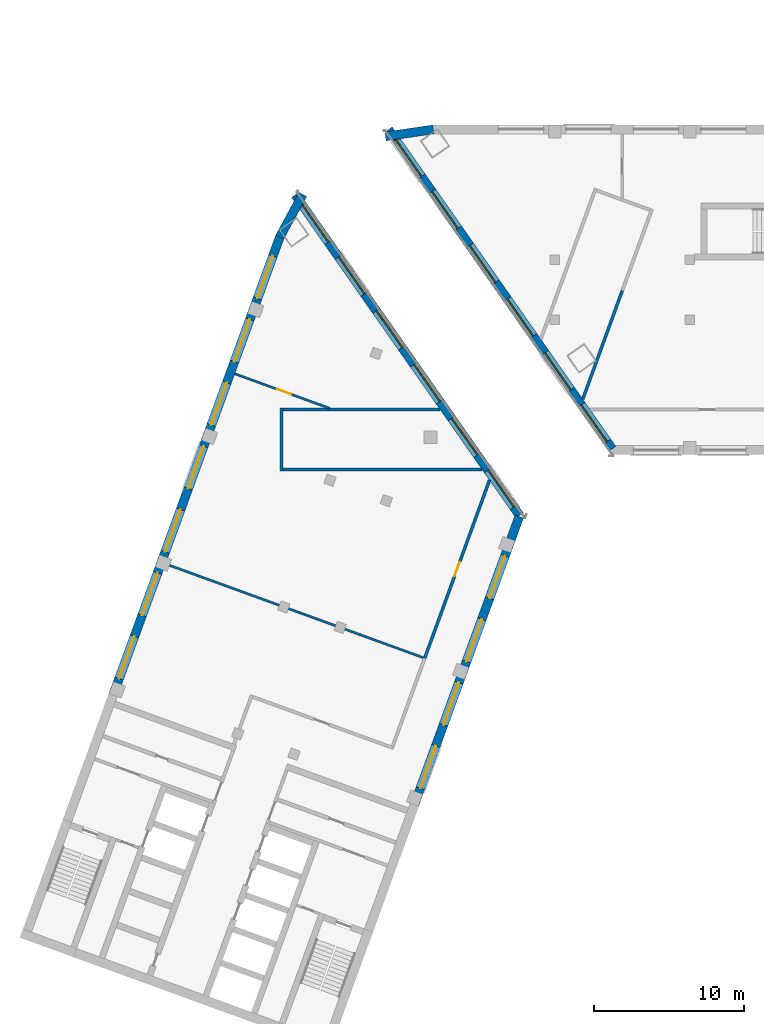
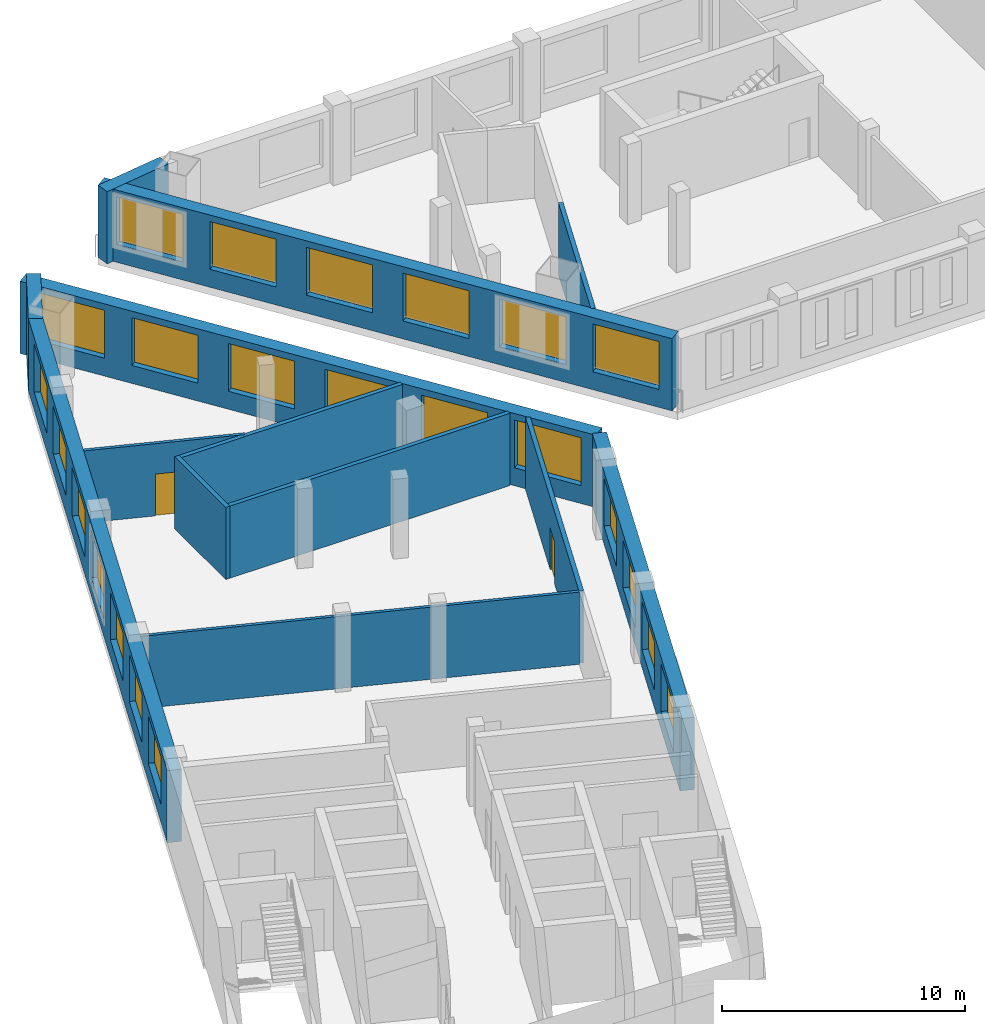
# One storey, part 5 of 11: 23 windows, 13 walls, 2 doors, 25 openings.
"""IFC4 building model written with IfcOpenShell, lengths in metres."""

from ifc_helpers import new_model, si_unit, direction, frame, frame_2d, origin, place, context, subcontext, project, spatial, rectangle, extrude, material, layer, layer_set, type_object, element, fill, save


model = new_model("IFC4")

# Units and contexts
model_context = context("Model", 3, precision=1e-05, world=origin(), true_north=direction((0.0, 1.0)))
body_context = subcontext(model_context, "Body", "Model", "MODEL_VIEW")
ifc_project = project(units=[si_unit("LENGTHUNIT", "METRE"), si_unit("AREAUNIT", "SQUARE_METRE"), si_unit("VOLUMEUNIT", "CUBIC_METRE"), si_unit("PLANEANGLEUNIT", "RADIAN"), si_unit("MASSUNIT", "GRAM", prefix="KILO")], contexts=[model_context])

# Site, building, storey
site_placement = place(None, origin())
site = spatial("IfcSite", under=ifc_project, at=site_placement, CompositionType="ELEMENT")
building_placement = place(site_placement, origin())
building = spatial("IfcBuilding", under=site, at=building_placement, Name="Skarvind Civic Tower", CompositionType="ELEMENT")
storey_placement = place(building_placement, frame((0.0, 0.0, 109.0)))
storey = spatial("IfcBuildingStorey", under=building, at=storey_placement, Name="L25", CompositionType="ELEMENT", Elevation=109.0)

# Walls
ifc_material_1 = material(Name="Fire-rated blockwork wall, plastered", Category="masonry")
ifc_layer_1 = layer(ifc_material_1, 0.199951171875)
ifc_layer_set_1 = layer_set([ifc_layer_1], Name="FIRE WALL 200 EI 60")
wall_type_1 = type_object("IfcWallType", Name="FIRE WALL 200 EI 60", PredefinedType="PARTITIONING", material=ifc_layer_set_1)
wall_1_placement = place(storey_placement, frame((36.0, 115.89990234375, 0.0), z_axis=(0.0, 0.0, 1.0), x_axis=(0.0, 1.0, 0.0)))
element("IfcWall", 1, at=wall_1_placement, inside=storey, type_object=wall_type_1, Name="Portal partition L25 005", PredefinedType="PARTITIONING", context=body_context, shape_type="SweptSolid", body=[
    extrude(rectangle(XDim=4.2001953125, YDim=0.199951171875, at=frame_2d((2.10009765625, 0.0))), origin(), (0.0, 0.0, 1.0), 3.625),
])
wall_2_placement = place(storey_placement, frame((36.10009765625, 116.0, 0.0), z_axis=(0.0, 0.0, 1.0), x_axis=(1.0, 0.0, 0.0)))
element("IfcWall", 2, at=wall_2_placement, inside=storey, type_object=wall_type_1, Name="Portal partition L25 006", PredefinedType="PARTITIONING", context=body_context, shape_type="SweptSolid", body=[
    extrude(rectangle(XDim=13.296875, YDim=0.199951171875, at=frame_2d((6.6484375, 0.0))), origin(), (0.0, 0.0, 1.0), 3.625),
])
wall_3_placement = place(storey_placement, frame((36.10009765625, 120.0, 0.0), z_axis=(0.0, 0.0, 1.0), x_axis=(1.0, 0.0, 0.0)))
element("IfcWall", 3, at=wall_3_placement, inside=storey, type_object=wall_type_1, Name="Portal partition L25 007", PredefinedType="PARTITIONING", context=body_context, shape_type="SweptSolid", body=[
    extrude(rectangle(XDim=10.495849609375, YDim=0.199951171875, at=frame_2d((5.248046875, 0.0))), origin(), (0.0, 0.0, 1.0), 3.625),
])

# Wall, opening, door
wall_4_placement = place(storey_placement, frame((45.56591796875, 103.416015625, 0.0), z_axis=(0.0, 0.0, 1.0), x_axis=(0.342023697047, 0.939691327329, 0.0)))
wall_4 = element("IfcWall", 4, at=wall_4_placement, inside=storey, type_object=wall_type_1, Name="Portal partition L25 010", PredefinedType="PARTITIONING", context=body_context, shape_type="SweptSolid", body=[
    extrude(rectangle(XDim=12.642333984375, YDim=0.199951171875, at=frame_2d((6.3212890625, 0.0))), origin(), (0.0, 0.0, 1.0), 3.625),
])
opening_1_placement = place(wall_4_placement, frame((5.819091796875, 0.0, 0.0)))
opening_1 = element("IfcOpeningElement", 5, at=opening_1_placement, cuts=wall_4, Name="Opening L25-D203", PredefinedType="OPENING", context=body_context, shape_type="SweptSolid", body=[
    extrude(rectangle(XDim=1.0, YDim=2.10009765625, at=frame_2d((0.5, 1.050048828125))), frame((0.0, 0.10986328125, 0.0), z_axis=(0.0, -1.0, 0.0), x_axis=(1.0, 0.0, 0.0)), (0.0, 0.0, 1.0), 0.219970703125),
])
ifc_material_2 = material(Name="Painted steel fire door leaf", Category="steel")
door_type_1 = type_object("IfcDoorType", Name="FIRE DOOR 1000X2100 STEEL", OperationType="NOTDEFINED", PredefinedType="DOOR", material=ifc_material_2)
door_1_placement = place(opening_1_placement, origin())
door_1 = element("IfcDoor", 6, at=door_1_placement, inside=storey, type_object=door_type_1, Name="FIRE DOOR", OperationType="SINGLE_SWING_RIGHT", OverallHeight=2.10009765625, OverallWidth=1.0, PredefinedType="DOOR", context=body_context, shape_type="SweptSolid", body=[
    extrude(rectangle(XDim=1.0, YDim=2.10009765625, at=frame_2d((0.5, 1.050048828125))), frame((0.0, 0.02490234375, 0.0), z_axis=(0.0, -1.0, 0.0), x_axis=(1.0, 0.0, 0.0)), (0.0, 0.0, 1.0), 0.050048828125),
])
fill(opening_1, door_1)

# Walls
wall_5_placement = place(storey_placement, frame((56.114013671875, 120.7041015625, 0.0), z_axis=(0.0, 0.0, 1.0), x_axis=(0.342117026932, 0.939657352381, 0.0)))
element("IfcWall", 7, at=wall_5_placement, inside=storey, type_object=wall_type_1, Name="Portal partition L25 012", PredefinedType="PARTITIONING", context=body_context, shape_type="SweptSolid", body=[
    extrude(rectangle(XDim=7.704833984375, YDim=0.199951171875, at=frame_2d((3.8525390625, 0.0))), origin(), (0.0, 0.0, 1.0), 3.625),
])
ifc_material_3 = material(Name="Plasterboard partition on steel studs", Category="steel")
ifc_layer_2 = layer(ifc_material_3, 0.14990234375)
ifc_layer_set_2 = layer_set([ifc_layer_2], Name="PARTITION 150")
wall_type_2 = type_object("IfcWallType", Name="PARTITION 150", PredefinedType="PARTITIONING", material=ifc_layer_set_2)
wall_6_placement = place(storey_placement, frame((28.27490234375, 109.708984375, 0.0), z_axis=(0.0, 0.0, 1.0), x_axis=(0.939695619185, -0.342011905181, 0.0)))
element("IfcWall", 8, at=wall_6_placement, inside=storey, type_object=wall_type_2, Name="Portal partition L25 001", PredefinedType="PARTITIONING", context=body_context, shape_type="SweptSolid", body=[
    extrude(rectangle(XDim=18.300537109375, YDim=0.14990234375, at=frame_2d((9.150390625, 0.0))), origin(), (0.0, 0.0, 1.0), 3.625),
])

# Wall, opening, door
wall_7_placement = place(storey_placement, frame((39.222900390625, 120.091064453125, 0.0), z_axis=(0.0, 0.0, 1.0), x_axis=(-0.939705573142, 0.341984554924, 0.0)))
wall_7 = element("IfcWall", 9, at=wall_7_placement, inside=storey, type_object=wall_type_2, Name="Portal partition L25 003", PredefinedType="PARTITIONING", context=body_context, shape_type="SweptSolid", body=[
    extrude(rectangle(XDim=6.737060546875, YDim=0.14990234375, at=frame_2d((3.36865234375, 0.0))), origin(), (0.0, 0.0, 1.0), 3.625),
])
opening_2_placement = place(wall_7_placement, frame((2.735107421875, 0.0, 0.0)))
opening_2 = element("IfcOpeningElement", 10, at=opening_2_placement, cuts=wall_7, Name="Opening L25-D201", PredefinedType="OPENING", context=body_context, shape_type="SweptSolid", body=[
    extrude(rectangle(XDim=1.0, YDim=2.10009765625, at=frame_2d((0.5, 1.050048828125))), frame((0.0, 0.0849609375, 0.0), z_axis=(0.0, -1.0, 0.0), x_axis=(1.0, 0.0, 0.0)), (0.0, 0.0, 1.0), 0.169921875),
])
ifc_material_4 = material(Name="Timber veneer door leaf", Category="wood")
door_type_2 = type_object("IfcDoorType", Name="DOOR 1000X2100 TIMBER", OperationType="NOTDEFINED", PredefinedType="DOOR", material=ifc_material_4)
door_2_placement = place(opening_2_placement, origin())
door_2 = element("IfcDoor", 11, at=door_2_placement, inside=storey, type_object=door_type_2, Name="DOOR DOOR", OperationType="SINGLE_SWING_LEFT", OverallHeight=2.10009765625, OverallWidth=1.0, PredefinedType="DOOR", context=body_context, shape_type="SweptSolid", body=[
    extrude(rectangle(XDim=1.0, YDim=2.10009765625, at=frame_2d((0.5, 1.050048828125))), frame((0.0, 0.02490234375, 0.0), z_axis=(0.0, -1.0, 0.0), x_axis=(1.0, 0.0, 0.0)), (0.0, 0.0, 1.0), 0.050048828125),
])
fill(opening_2, door_2)

# Wall
ifc_material_5 = material(Name="Limestone masonry cladding on insulated backing", Category="masonry")
ifc_layer_3 = layer(ifc_material_5, 0.60009765625)
ifc_layer_set_3 = layer_set([ifc_layer_3], Name="WX1 STONE FACADE WALL 600")
wall_type_3 = type_object("IfcWallType", Name="WX1 STONE FACADE WALL 600", PredefinedType="SOLIDWALL", material=ifc_layer_set_3)
wall_8_placement = place(storey_placement, frame((42.947021484375, 138.228515625, 0.0), z_axis=(0.0, 0.0, 1.0), x_axis=(0.989119234726, 0.147116074906, 0.0)))
element("IfcWall", 12, at=wall_8_placement, inside=storey, type_object=wall_type_3, Name="STONE FACADE WALL", PredefinedType="SOLIDWALL", context=body_context, shape_type="SweptSolid", body=[
    extrude(rectangle(XDim=3.227783203125, YDim=0.60009765625, at=frame_2d((1.61376953125, 0.0))), origin(), (0.0, 0.0, 1.0), 3.625),
])

# Wall, openings, windows
wall_9_placement = place(storey_placement, frame((58.0830078125, 117.36865234375, 0.0), z_axis=(0.0, 0.0, 1.0), x_axis=(-0.573573095716, 0.819154383416, 0.0)))
wall_9 = element("IfcWall", 13, at=wall_9_placement, inside=storey, type_object=wall_type_3, Name="STONE FACADE WALL", PredefinedType="SOLIDWALL", context=body_context, shape_type="SweptSolid", body=[
    extrude(rectangle(XDim=26.037353515625, YDim=0.60009765625, at=frame_2d((13.0185546875, 0.0))), origin(), (0.0, 0.0, 1.0), 3.625),
])
opening_3_placement = place(wall_9_placement, frame((0.599853515625, 0.0, 0.89990234375)))
opening_3 = element("IfcOpeningElement", 14, at=opening_3_placement, cuts=wall_9, Name="Opening WN1", PredefinedType="OPENING", context=body_context, shape_type="SweptSolid", body=[
    extrude(rectangle(XDim=3.0, YDim=2.39990234375, at=frame_2d((1.5, 1.199951171875))), frame((0.0, 0.31005859375, 0.0), z_axis=(0.0, -1.0, 0.0), x_axis=(1.0, 0.0, 0.0)), (0.0, 0.0, 1.0), 0.6201171875),
])
opening_4_placement = place(wall_9_placement, frame((4.829345703125, 0.0, 0.89990234375)))
opening_4 = element("IfcOpeningElement", 15, at=opening_4_placement, cuts=wall_9, Name="Opening WN1", PredefinedType="OPENING", context=body_context, shape_type="SweptSolid", body=[
    extrude(rectangle(XDim=3.0, YDim=2.39990234375, at=frame_2d((1.5, 1.199951171875))), frame((0.0, 0.31005859375, 0.0), z_axis=(0.0, -1.0, 0.0), x_axis=(1.0, 0.0, 0.0)), (0.0, 0.0, 1.0), 0.6201171875),
])
opening_5_placement = place(wall_9_placement, frame((9.208984375, 0.0, 0.89990234375)))
opening_5 = element("IfcOpeningElement", 16, at=opening_5_placement, cuts=wall_9, Name="Opening WN1", PredefinedType="OPENING", context=body_context, shape_type="SweptSolid", body=[
    extrude(rectangle(XDim=3.0, YDim=2.39990234375, at=frame_2d((1.5, 1.199951171875))), frame((0.0, 0.31005859375, 0.0), z_axis=(0.0, -1.0, 0.0), x_axis=(1.0, 0.0, 0.0)), (0.0, 0.0, 1.0), 0.6201171875),
])
opening_6_placement = place(wall_9_placement, frame((13.58837890625, 0.0, 0.89990234375)))
opening_6 = element("IfcOpeningElement", 17, at=opening_6_placement, cuts=wall_9, Name="Opening WN1", PredefinedType="OPENING", context=body_context, shape_type="SweptSolid", body=[
    extrude(rectangle(XDim=3.0, YDim=2.39990234375, at=frame_2d((1.5, 1.199951171875))), frame((0.0, 0.31005859375, 0.0), z_axis=(0.0, -1.0, 0.0), x_axis=(1.0, 0.0, 0.0)), (0.0, 0.0, 1.0), 0.6201171875),
])
opening_7_placement = place(wall_9_placement, frame((17.968017578125, 0.0, 0.89990234375)))
opening_7 = element("IfcOpeningElement", 18, at=opening_7_placement, cuts=wall_9, Name="Opening WN1", PredefinedType="OPENING", context=body_context, shape_type="SweptSolid", body=[
    extrude(rectangle(XDim=3.0, YDim=2.39990234375, at=frame_2d((1.5, 1.199951171875))), frame((0.0, 0.31005859375, 0.0), z_axis=(0.0, -1.0, 0.0), x_axis=(1.0, 0.0, 0.0)), (0.0, 0.0, 1.0), 0.6201171875),
])
opening_8_placement = place(wall_9_placement, frame((22.197509765625, 0.0, 0.89990234375)))
opening_8 = element("IfcOpeningElement", 19, at=opening_8_placement, cuts=wall_9, Name="Opening WN1", PredefinedType="OPENING", context=body_context, shape_type="SweptSolid", body=[
    extrude(rectangle(XDim=3.0, YDim=2.39990234375, at=frame_2d((1.5, 1.199951171875))), frame((0.0, 0.31005859375, 0.0), z_axis=(0.0, -1.0, 0.0), x_axis=(1.0, 0.0, 0.0)), (0.0, 0.0, 1.0), 0.6201171875),
])
ifc_material_6 = material(Name="Timber frame, double glazing, timber-lined reveal", Category="wood")
window_type = type_object("IfcWindowType", Name="WN1 PUNCHED STONE WINDOW 3000 x 2400", PartitioningType="SINGLE_PANEL", PredefinedType="WINDOW", material=ifc_material_6)
window_1_placement = place(opening_3_placement, origin())
window_1 = element("IfcWindow", 20, at=window_1_placement, inside=storey, type_object=window_type, Name="WN1 WINDOW", OverallHeight=2.39990234375, OverallWidth=3.0, PartitioningType="SINGLE_PANEL", PredefinedType="WINDOW", context=body_context, shape_type="SweptSolid", body=[
    extrude(rectangle(XDim=3.0, YDim=2.39990234375, at=frame_2d((1.5, 1.199951171875))), frame((0.0, 0.030029296875, 0.0), z_axis=(0.0, -1.0, 0.0), x_axis=(1.0, 0.0, 0.0)), (0.0, 0.0, 1.0), 0.06005859375),
])
fill(opening_3, window_1)
window_2_placement = place(opening_4_placement, origin())
window_2 = element("IfcWindow", 21, at=window_2_placement, inside=storey, type_object=window_type, Name="WN1 WINDOW", OverallHeight=2.39990234375, OverallWidth=3.0, PartitioningType="SINGLE_PANEL", PredefinedType="WINDOW", context=body_context, shape_type="SweptSolid", body=[
    extrude(rectangle(XDim=3.0, YDim=2.39990234375, at=frame_2d((1.5, 1.199951171875))), frame((0.0, 0.030029296875, 0.0), z_axis=(0.0, -1.0, 0.0), x_axis=(1.0, 0.0, 0.0)), (0.0, 0.0, 1.0), 0.06005859375),
])
fill(opening_4, window_2)
window_3_placement = place(opening_5_placement, origin())
window_3 = element("IfcWindow", 22, at=window_3_placement, inside=storey, type_object=window_type, Name="WN1 WINDOW", OverallHeight=2.39990234375, OverallWidth=3.0, PartitioningType="SINGLE_PANEL", PredefinedType="WINDOW", context=body_context, shape_type="SweptSolid", body=[
    extrude(rectangle(XDim=3.0, YDim=2.39990234375, at=frame_2d((1.5, 1.199951171875))), frame((0.0, 0.030029296875, 0.0), z_axis=(0.0, -1.0, 0.0), x_axis=(1.0, 0.0, 0.0)), (0.0, 0.0, 1.0), 0.06005859375),
])
fill(opening_5, window_3)
window_4_placement = place(opening_6_placement, origin())
window_4 = element("IfcWindow", 23, at=window_4_placement, inside=storey, type_object=window_type, Name="WN1 WINDOW", OverallHeight=2.39990234375, OverallWidth=3.0, PartitioningType="SINGLE_PANEL", PredefinedType="WINDOW", context=body_context, shape_type="SweptSolid", body=[
    extrude(rectangle(XDim=3.0, YDim=2.39990234375, at=frame_2d((1.5, 1.199951171875))), frame((0.0, 0.030029296875, 0.0), z_axis=(0.0, -1.0, 0.0), x_axis=(1.0, 0.0, 0.0)), (0.0, 0.0, 1.0), 0.06005859375),
])
fill(opening_6, window_4)
window_5_placement = place(opening_7_placement, origin())
window_5 = element("IfcWindow", 24, at=window_5_placement, inside=storey, type_object=window_type, Name="WN1 WINDOW", OverallHeight=2.39990234375, OverallWidth=3.0, PartitioningType="SINGLE_PANEL", PredefinedType="WINDOW", context=body_context, shape_type="SweptSolid", body=[
    extrude(rectangle(XDim=3.0, YDim=2.39990234375, at=frame_2d((1.5, 1.199951171875))), frame((0.0, 0.030029296875, 0.0), z_axis=(0.0, -1.0, 0.0), x_axis=(1.0, 0.0, 0.0)), (0.0, 0.0, 1.0), 0.06005859375),
])
fill(opening_7, window_5)
window_6_placement = place(opening_8_placement, origin())
window_6 = element("IfcWindow", 25, at=window_6_placement, inside=storey, type_object=window_type, Name="WN1 WINDOW", OverallHeight=2.39990234375, OverallWidth=3.0, PartitioningType="SINGLE_PANEL", PredefinedType="WINDOW", context=body_context, shape_type="SweptSolid", body=[
    extrude(rectangle(XDim=3.0, YDim=2.39990234375, at=frame_2d((1.5, 1.199951171875))), frame((0.0, 0.030029296875, 0.0), z_axis=(0.0, -1.0, 0.0), x_axis=(1.0, 0.0, 0.0)), (0.0, 0.0, 1.0), 0.06005859375),
])
fill(opening_8, window_6)

wall_10_placement = place(storey_placement, frame((51.876953125, 112.862060546875, 0.0), z_axis=(0.0, 0.0, 1.0), x_axis=(-0.342020589714, -0.939692458314, 0.0)))
wall_10 = element("IfcWall", 26, at=wall_10_placement, inside=storey, type_object=wall_type_3, Name="STONE FACADE WALL", PredefinedType="SOLIDWALL", context=body_context, shape_type="SweptSolid", body=[
    extrude(rectangle(XDim=20.764892578125, YDim=0.60009765625, at=frame_2d((10.38232421875, 0.0))), origin(), (0.0, 0.0, 1.0), 3.625),
])
opening_9_placement = place(wall_10_placement, frame((2.784912109375, 0.0, 0.89990234375)))
opening_9 = element("IfcOpeningElement", 27, at=opening_9_placement, cuts=wall_10, Name="Opening WN1", PredefinedType="OPENING", context=body_context, shape_type="SweptSolid", body=[
    extrude(rectangle(XDim=3.0, YDim=2.39990234375, at=frame_2d((1.5, 1.199951171875))), frame((0.0, 0.31005859375, 0.0), z_axis=(0.0, -1.0, 0.0), x_axis=(1.0, 0.0, 0.0)), (0.0, 0.0, 1.0), 0.6201171875),
])
opening_10_placement = place(wall_10_placement, frame((7.284912109375, 0.0, 0.89990234375)))
opening_10 = element("IfcOpeningElement", 28, at=opening_10_placement, cuts=wall_10, Name="Opening WN1", PredefinedType="OPENING", context=body_context, shape_type="SweptSolid", body=[
    extrude(rectangle(XDim=3.0, YDim=2.39990234375, at=frame_2d((1.5, 1.199951171875))), frame((0.0, 0.31005859375, 0.0), z_axis=(0.0, -1.0, 0.0), x_axis=(1.0, 0.0, 0.0)), (0.0, 0.0, 1.0), 0.6201171875),
])
opening_11_placement = place(wall_10_placement, frame((11.784912109375, 0.0, 0.89990234375)))
opening_11 = element("IfcOpeningElement", 29, at=opening_11_placement, cuts=wall_10, Name="Opening WN1", PredefinedType="OPENING", context=body_context, shape_type="SweptSolid", body=[
    extrude(rectangle(XDim=3.0, YDim=2.39990234375, at=frame_2d((1.5, 1.199951171875))), frame((0.0, 0.31005859375, 0.0), z_axis=(0.0, -1.0, 0.0), x_axis=(1.0, 0.0, 0.0)), (0.0, 0.0, 1.0), 0.6201171875),
])
opening_12_placement = place(wall_10_placement, frame((16.284912109375, 0.0, 0.89990234375)))
opening_12 = element("IfcOpeningElement", 30, at=opening_12_placement, cuts=wall_10, Name="Opening WN1", PredefinedType="OPENING", context=body_context, shape_type="SweptSolid", body=[
    extrude(rectangle(XDim=3.0, YDim=2.39990234375, at=frame_2d((1.5, 1.199951171875))), frame((0.0, 0.31005859375, 0.0), z_axis=(0.0, -1.0, 0.0), x_axis=(1.0, 0.0, 0.0)), (0.0, 0.0, 1.0), 0.6201171875),
])
window_7_placement = place(opening_9_placement, origin())
window_7 = element("IfcWindow", 31, at=window_7_placement, inside=storey, type_object=window_type, Name="WN1 WINDOW", OverallHeight=2.39990234375, OverallWidth=3.0, PartitioningType="SINGLE_PANEL", PredefinedType="WINDOW", context=body_context, shape_type="SweptSolid", body=[
    extrude(rectangle(XDim=3.0, YDim=2.39990234375, at=frame_2d((1.5, 1.199951171875))), frame((0.0, 0.030029296875, 0.0), z_axis=(0.0, -1.0, 0.0), x_axis=(1.0, 0.0, 0.0)), (0.0, 0.0, 1.0), 0.06005859375),
])
fill(opening_9, window_7)
window_8_placement = place(opening_10_placement, origin())
window_8 = element("IfcWindow", 32, at=window_8_placement, inside=storey, type_object=window_type, Name="WN1 WINDOW", OverallHeight=2.39990234375, OverallWidth=3.0, PartitioningType="SINGLE_PANEL", PredefinedType="WINDOW", context=body_context, shape_type="SweptSolid", body=[
    extrude(rectangle(XDim=3.0, YDim=2.39990234375, at=frame_2d((1.5, 1.199951171875))), frame((0.0, 0.030029296875, 0.0), z_axis=(0.0, -1.0, 0.0), x_axis=(1.0, 0.0, 0.0)), (0.0, 0.0, 1.0), 0.06005859375),
])
fill(opening_10, window_8)
window_9_placement = place(opening_11_placement, origin())
window_9 = element("IfcWindow", 33, at=window_9_placement, inside=storey, type_object=window_type, Name="WN1 WINDOW", OverallHeight=2.39990234375, OverallWidth=3.0, PartitioningType="SINGLE_PANEL", PredefinedType="WINDOW", context=body_context, shape_type="SweptSolid", body=[
    extrude(rectangle(XDim=3.0, YDim=2.39990234375, at=frame_2d((1.5, 1.199951171875))), frame((0.0, 0.030029296875, 0.0), z_axis=(0.0, -1.0, 0.0), x_axis=(1.0, 0.0, 0.0)), (0.0, 0.0, 1.0), 0.06005859375),
])
fill(opening_11, window_9)
window_10_placement = place(opening_12_placement, origin())
window_10 = element("IfcWindow", 34, at=window_10_placement, inside=storey, type_object=window_type, Name="WN1 WINDOW", OverallHeight=2.39990234375, OverallWidth=3.0, PartitioningType="SINGLE_PANEL", PredefinedType="WINDOW", context=body_context, shape_type="SweptSolid", body=[
    extrude(rectangle(XDim=3.0, YDim=2.39990234375, at=frame_2d((1.5, 1.199951171875))), frame((0.0, 0.030029296875, 0.0), z_axis=(0.0, -1.0, 0.0), x_axis=(1.0, 0.0, 0.0)), (0.0, 0.0, 1.0), 0.06005859375),
])
fill(opening_12, window_10)

wall_11_placement = place(storey_placement, frame((36.923095703125, 134.338134765625, 0.0), z_axis=(0.0, 0.0, 1.0), x_axis=(0.573575266068, -0.819152863729, 0.0)))
wall_11 = element("IfcWall", 35, at=wall_11_placement, inside=storey, type_object=wall_type_3, Name="STONE FACADE WALL", PredefinedType="SOLIDWALL", context=body_context, shape_type="SweptSolid", body=[
    extrude(rectangle(XDim=26.1171875, YDim=0.60009765625, at=frame_2d((13.05859375, 0.0))), origin(), (0.0, 0.0, 1.0), 3.625),
])
opening_13_placement = place(wall_11_placement, frame((0.83984375, 0.0, 0.89990234375)))
opening_13 = element("IfcOpeningElement", 36, at=opening_13_placement, cuts=wall_11, Name="Opening WN1", PredefinedType="OPENING", context=body_context, shape_type="SweptSolid", body=[
    extrude(rectangle(XDim=3.0, YDim=2.39990234375, at=frame_2d((1.5, 1.199951171875))), frame((0.0, 0.31005859375, 0.0), z_axis=(0.0, -1.0, 0.0), x_axis=(1.0, 0.0, 0.0)), (0.0, 0.0, 1.0), 0.6201171875),
])
opening_14_placement = place(wall_11_placement, frame((5.0693359375, 0.0, 0.89990234375)))
opening_14 = element("IfcOpeningElement", 37, at=opening_14_placement, cuts=wall_11, Name="Opening WN1", PredefinedType="OPENING", context=body_context, shape_type="SweptSolid", body=[
    extrude(rectangle(XDim=3.0, YDim=2.39990234375, at=frame_2d((1.5, 1.199951171875))), frame((0.0, 0.31005859375, 0.0), z_axis=(0.0, -1.0, 0.0), x_axis=(1.0, 0.0, 0.0)), (0.0, 0.0, 1.0), 0.6201171875),
])
opening_15_placement = place(wall_11_placement, frame((9.448974609375, 0.0, 0.89990234375)))
opening_15 = element("IfcOpeningElement", 38, at=opening_15_placement, cuts=wall_11, Name="Opening WN1", PredefinedType="OPENING", context=body_context, shape_type="SweptSolid", body=[
    extrude(rectangle(XDim=3.0, YDim=2.39990234375, at=frame_2d((1.5, 1.199951171875))), frame((0.0, 0.31005859375, 0.0), z_axis=(0.0, -1.0, 0.0), x_axis=(1.0, 0.0, 0.0)), (0.0, 0.0, 1.0), 0.6201171875),
])
opening_16_placement = place(wall_11_placement, frame((13.82861328125, 0.0, 0.89990234375)))
opening_16 = element("IfcOpeningElement", 39, at=opening_16_placement, cuts=wall_11, Name="Opening WN1", PredefinedType="OPENING", context=body_context, shape_type="SweptSolid", body=[
    extrude(rectangle(XDim=3.0, YDim=2.39990234375, at=frame_2d((1.5, 1.199951171875))), frame((0.0, 0.31005859375, 0.0), z_axis=(0.0, -1.0, 0.0), x_axis=(1.0, 0.0, 0.0)), (0.0, 0.0, 1.0), 0.6201171875),
])
opening_17_placement = place(wall_11_placement, frame((18.2080078125, 0.0, 0.89990234375)))
opening_17 = element("IfcOpeningElement", 40, at=opening_17_placement, cuts=wall_11, Name="Opening WN1", PredefinedType="OPENING", context=body_context, shape_type="SweptSolid", body=[
    extrude(rectangle(XDim=3.0, YDim=2.39990234375, at=frame_2d((1.5, 1.199951171875))), frame((0.0, 0.31005859375, 0.0), z_axis=(0.0, -1.0, 0.0), x_axis=(1.0, 0.0, 0.0)), (0.0, 0.0, 1.0), 0.6201171875),
])
opening_18_placement = place(wall_11_placement, frame((22.4375, 0.0, 0.89990234375)))
opening_18 = element("IfcOpeningElement", 41, at=opening_18_placement, cuts=wall_11, Name="Opening WN1", PredefinedType="OPENING", context=body_context, shape_type="SweptSolid", body=[
    extrude(rectangle(XDim=3.0, YDim=2.39990234375, at=frame_2d((1.5, 1.199951171875))), frame((0.0, 0.31005859375, 0.0), z_axis=(0.0, -1.0, 0.0), x_axis=(1.0, 0.0, 0.0)), (0.0, 0.0, 1.0), 0.6201171875),
])
window_11_placement = place(opening_13_placement, origin())
window_11 = element("IfcWindow", 42, at=window_11_placement, inside=storey, type_object=window_type, Name="WN1 WINDOW", OverallHeight=2.39990234375, OverallWidth=3.0, PartitioningType="SINGLE_PANEL", PredefinedType="WINDOW", context=body_context, shape_type="SweptSolid", body=[
    extrude(rectangle(XDim=3.0, YDim=2.39990234375, at=frame_2d((1.5, 1.199951171875))), frame((0.0, 0.030029296875, 0.0), z_axis=(0.0, -1.0, 0.0), x_axis=(1.0, 0.0, 0.0)), (0.0, 0.0, 1.0), 0.06005859375),
])
fill(opening_13, window_11)
window_12_placement = place(opening_14_placement, origin())
window_12 = element("IfcWindow", 43, at=window_12_placement, inside=storey, type_object=window_type, Name="WN1 WINDOW", OverallHeight=2.39990234375, OverallWidth=3.0, PartitioningType="SINGLE_PANEL", PredefinedType="WINDOW", context=body_context, shape_type="SweptSolid", body=[
    extrude(rectangle(XDim=3.0, YDim=2.39990234375, at=frame_2d((1.5, 1.199951171875))), frame((0.0, 0.030029296875, 0.0), z_axis=(0.0, -1.0, 0.0), x_axis=(1.0, 0.0, 0.0)), (0.0, 0.0, 1.0), 0.06005859375),
])
fill(opening_14, window_12)
window_13_placement = place(opening_15_placement, origin())
window_13 = element("IfcWindow", 44, at=window_13_placement, inside=storey, type_object=window_type, Name="WN1 WINDOW", OverallHeight=2.39990234375, OverallWidth=3.0, PartitioningType="SINGLE_PANEL", PredefinedType="WINDOW", context=body_context, shape_type="SweptSolid", body=[
    extrude(rectangle(XDim=3.0, YDim=2.39990234375, at=frame_2d((1.5, 1.199951171875))), frame((0.0, 0.030029296875, 0.0), z_axis=(0.0, -1.0, 0.0), x_axis=(1.0, 0.0, 0.0)), (0.0, 0.0, 1.0), 0.06005859375),
])
fill(opening_15, window_13)
window_14_placement = place(opening_16_placement, origin())
window_14 = element("IfcWindow", 45, at=window_14_placement, inside=storey, type_object=window_type, Name="WN1 WINDOW", OverallHeight=2.39990234375, OverallWidth=3.0, PartitioningType="SINGLE_PANEL", PredefinedType="WINDOW", context=body_context, shape_type="SweptSolid", body=[
    extrude(rectangle(XDim=3.0, YDim=2.39990234375, at=frame_2d((1.5, 1.199951171875))), frame((0.0, 0.030029296875, 0.0), z_axis=(0.0, -1.0, 0.0), x_axis=(1.0, 0.0, 0.0)), (0.0, 0.0, 1.0), 0.06005859375),
])
fill(opening_16, window_14)
window_15_placement = place(opening_17_placement, origin())
window_15 = element("IfcWindow", 46, at=window_15_placement, inside=storey, type_object=window_type, Name="WN1 WINDOW", OverallHeight=2.39990234375, OverallWidth=3.0, PartitioningType="SINGLE_PANEL", PredefinedType="WINDOW", context=body_context, shape_type="SweptSolid", body=[
    extrude(rectangle(XDim=3.0, YDim=2.39990234375, at=frame_2d((1.5, 1.199951171875))), frame((0.0, 0.030029296875, 0.0), z_axis=(0.0, -1.0, 0.0), x_axis=(1.0, 0.0, 0.0)), (0.0, 0.0, 1.0), 0.06005859375),
])
fill(opening_17, window_15)
window_16_placement = place(opening_18_placement, origin())
window_16 = element("IfcWindow", 47, at=window_16_placement, inside=storey, type_object=window_type, Name="WN1 WINDOW", OverallHeight=2.39990234375, OverallWidth=3.0, PartitioningType="SINGLE_PANEL", PredefinedType="WINDOW", context=body_context, shape_type="SweptSolid", body=[
    extrude(rectangle(XDim=3.0, YDim=2.39990234375, at=frame_2d((1.5, 1.199951171875))), frame((0.0, 0.030029296875, 0.0), z_axis=(0.0, -1.0, 0.0), x_axis=(1.0, 0.0, 0.0)), (0.0, 0.0, 1.0), 0.06005859375),
])
fill(opening_18, window_16)

# Wall
wall_12_placement = place(storey_placement, frame((35.89453125, 131.529541015625, 0.0), z_axis=(0.0, 0.0, 1.0), x_axis=(0.476529237666, 0.879158623713, 0.0)))
element("IfcWall", 48, at=wall_12_placement, inside=storey, type_object=wall_type_3, Name="STONE FACADE WALL", PredefinedType="SOLIDWALL", context=body_context, shape_type="SweptSolid", body=[
    extrude(rectangle(XDim=3.227783203125, YDim=0.60009765625, at=frame_2d((1.61376953125, 0.0))), origin(), (0.0, 0.0, 1.0), 3.625),
])

# Wall, openings, windows
wall_13_placement = place(storey_placement, frame((24.66552734375, 100.668701171875, 0.0), z_axis=(0.0, 0.0, 1.0), x_axis=(0.34201964167, 0.939692803373, 0.0)))
wall_13 = element("IfcWall", 49, at=wall_13_placement, inside=storey, type_object=wall_type_3, Name="STONE FACADE WALL", PredefinedType="SOLIDWALL", context=body_context, shape_type="SweptSolid", body=[
    extrude(rectangle(XDim=32.88427734375, YDim=0.60009765625, at=frame_2d((16.442138671875, 0.0))), origin(), (0.0, 0.0, 1.0), 3.625),
])
opening_19_placement = place(wall_13_placement, frame((1.47998046875, 0.0, 0.89990234375)))
opening_19 = element("IfcOpeningElement", 50, at=opening_19_placement, cuts=wall_13, Name="Opening WN1", PredefinedType="OPENING", context=body_context, shape_type="SweptSolid", body=[
    extrude(rectangle(XDim=3.0, YDim=2.39990234375, at=frame_2d((1.5, 1.199951171875))), frame((0.0, 0.31005859375, 0.0), z_axis=(0.0, -1.0, 0.0), x_axis=(1.0, 0.0, 0.0)), (0.0, 0.0, 1.0), 0.6201171875),
])
opening_20_placement = place(wall_13_placement, frame((5.97998046875, 0.0, 0.89990234375)))
opening_20 = element("IfcOpeningElement", 51, at=opening_20_placement, cuts=wall_13, Name="Opening WN1", PredefinedType="OPENING", context=body_context, shape_type="SweptSolid", body=[
    extrude(rectangle(XDim=3.0, YDim=2.39990234375, at=frame_2d((1.5, 1.199951171875))), frame((0.0, 0.31005859375, 0.0), z_axis=(0.0, -1.0, 0.0), x_axis=(1.0, 0.0, 0.0)), (0.0, 0.0, 1.0), 0.6201171875),
])
opening_21_placement = place(wall_13_placement, frame((10.47998046875, 0.0, 0.89990234375)))
opening_21 = element("IfcOpeningElement", 52, at=opening_21_placement, cuts=wall_13, Name="Opening WN1", PredefinedType="OPENING", context=body_context, shape_type="SweptSolid", body=[
    extrude(rectangle(XDim=3.0, YDim=2.39990234375, at=frame_2d((1.5, 1.199951171875))), frame((0.0, 0.31005859375, 0.0), z_axis=(0.0, -1.0, 0.0), x_axis=(1.0, 0.0, 0.0)), (0.0, 0.0, 1.0), 0.6201171875),
])
opening_22_placement = place(wall_13_placement, frame((14.97998046875, 0.0, 0.89990234375)))
opening_22 = element("IfcOpeningElement", 53, at=opening_22_placement, cuts=wall_13, Name="Opening WN1", PredefinedType="OPENING", context=body_context, shape_type="SweptSolid", body=[
    extrude(rectangle(XDim=3.0, YDim=2.39990234375, at=frame_2d((1.5, 1.199951171875))), frame((0.0, 0.31005859375, 0.0), z_axis=(0.0, -1.0, 0.0), x_axis=(1.0, 0.0, 0.0)), (0.0, 0.0, 1.0), 0.6201171875),
])
opening_23_placement = place(wall_13_placement, frame((19.47998046875, 0.0, 0.89990234375)))
opening_23 = element("IfcOpeningElement", 54, at=opening_23_placement, cuts=wall_13, Name="Opening WN1", PredefinedType="OPENING", context=body_context, shape_type="SweptSolid", body=[
    extrude(rectangle(XDim=3.0, YDim=2.39990234375, at=frame_2d((1.5, 1.199951171875))), frame((0.0, 0.31005859375, 0.0), z_axis=(0.0, -1.0, 0.0), x_axis=(1.0, 0.0, 0.0)), (0.0, 0.0, 1.0), 0.6201171875),
])
opening_24_placement = place(wall_13_placement, frame((23.97998046875, 0.0, 0.89990234375)))
opening_24 = element("IfcOpeningElement", 55, at=opening_24_placement, cuts=wall_13, Name="Opening WN1", PredefinedType="OPENING", context=body_context, shape_type="SweptSolid", body=[
    extrude(rectangle(XDim=3.0, YDim=2.39990234375, at=frame_2d((1.5, 1.199951171875))), frame((0.0, 0.31005859375, 0.0), z_axis=(0.0, -1.0, 0.0), x_axis=(1.0, 0.0, 0.0)), (0.0, 0.0, 1.0), 0.6201171875),
])
opening_25_placement = place(wall_13_placement, frame((28.47998046875, 0.0, 0.89990234375)))
opening_25 = element("IfcOpeningElement", 56, at=opening_25_placement, cuts=wall_13, Name="Opening WN1", PredefinedType="OPENING", context=body_context, shape_type="SweptSolid", body=[
    extrude(rectangle(XDim=3.0, YDim=2.39990234375, at=frame_2d((1.5, 1.199951171875))), frame((0.0, 0.31005859375, 0.0), z_axis=(0.0, -1.0, 0.0), x_axis=(1.0, 0.0, 0.0)), (0.0, 0.0, 1.0), 0.6201171875),
])
window_17_placement = place(opening_19_placement, origin())
window_17 = element("IfcWindow", 57, at=window_17_placement, inside=storey, type_object=window_type, Name="WN1 WINDOW", OverallHeight=2.39990234375, OverallWidth=3.0, PartitioningType="SINGLE_PANEL", PredefinedType="WINDOW", context=body_context, shape_type="SweptSolid", body=[
    extrude(rectangle(XDim=3.0, YDim=2.39990234375, at=frame_2d((1.5, 1.199951171875))), frame((0.0, 0.030029296875, 0.0), z_axis=(0.0, -1.0, 0.0), x_axis=(1.0, 0.0, 0.0)), (0.0, 0.0, 1.0), 0.06005859375),
])
fill(opening_19, window_17)
window_18_placement = place(opening_20_placement, origin())
window_18 = element("IfcWindow", 58, at=window_18_placement, inside=storey, type_object=window_type, Name="WN1 WINDOW", OverallHeight=2.39990234375, OverallWidth=3.0, PartitioningType="SINGLE_PANEL", PredefinedType="WINDOW", context=body_context, shape_type="SweptSolid", body=[
    extrude(rectangle(XDim=3.0, YDim=2.39990234375, at=frame_2d((1.5, 1.199951171875))), frame((0.0, 0.030029296875, 0.0), z_axis=(0.0, -1.0, 0.0), x_axis=(1.0, 0.0, 0.0)), (0.0, 0.0, 1.0), 0.06005859375),
])
fill(opening_20, window_18)
window_19_placement = place(opening_21_placement, origin())
window_19 = element("IfcWindow", 59, at=window_19_placement, inside=storey, type_object=window_type, Name="WN1 WINDOW", OverallHeight=2.39990234375, OverallWidth=3.0, PartitioningType="SINGLE_PANEL", PredefinedType="WINDOW", context=body_context, shape_type="SweptSolid", body=[
    extrude(rectangle(XDim=3.0, YDim=2.39990234375, at=frame_2d((1.5, 1.199951171875))), frame((0.0, 0.030029296875, 0.0), z_axis=(0.0, -1.0, 0.0), x_axis=(1.0, 0.0, 0.0)), (0.0, 0.0, 1.0), 0.06005859375),
])
fill(opening_21, window_19)
window_20_placement = place(opening_22_placement, origin())
window_20 = element("IfcWindow", 60, at=window_20_placement, inside=storey, type_object=window_type, Name="WN1 WINDOW", OverallHeight=2.39990234375, OverallWidth=3.0, PartitioningType="SINGLE_PANEL", PredefinedType="WINDOW", context=body_context, shape_type="SweptSolid", body=[
    extrude(rectangle(XDim=3.0, YDim=2.39990234375, at=frame_2d((1.5, 1.199951171875))), frame((0.0, 0.030029296875, 0.0), z_axis=(0.0, -1.0, 0.0), x_axis=(1.0, 0.0, 0.0)), (0.0, 0.0, 1.0), 0.06005859375),
])
fill(opening_22, window_20)
window_21_placement = place(opening_23_placement, origin())
window_21 = element("IfcWindow", 61, at=window_21_placement, inside=storey, type_object=window_type, Name="WN1 WINDOW", OverallHeight=2.39990234375, OverallWidth=3.0, PartitioningType="SINGLE_PANEL", PredefinedType="WINDOW", context=body_context, shape_type="SweptSolid", body=[
    extrude(rectangle(XDim=3.0, YDim=2.39990234375, at=frame_2d((1.5, 1.199951171875))), frame((0.0, 0.030029296875, 0.0), z_axis=(0.0, -1.0, 0.0), x_axis=(1.0, 0.0, 0.0)), (0.0, 0.0, 1.0), 0.06005859375),
])
fill(opening_23, window_21)
window_22_placement = place(opening_24_placement, origin())
window_22 = element("IfcWindow", 62, at=window_22_placement, inside=storey, type_object=window_type, Name="WN1 WINDOW", OverallHeight=2.39990234375, OverallWidth=3.0, PartitioningType="SINGLE_PANEL", PredefinedType="WINDOW", context=body_context, shape_type="SweptSolid", body=[
    extrude(rectangle(XDim=3.0, YDim=2.39990234375, at=frame_2d((1.5, 1.199951171875))), frame((0.0, 0.030029296875, 0.0), z_axis=(0.0, -1.0, 0.0), x_axis=(1.0, 0.0, 0.0)), (0.0, 0.0, 1.0), 0.06005859375),
])
fill(opening_24, window_22)
window_23_placement = place(opening_25_placement, origin())
window_23 = element("IfcWindow", 63, at=window_23_placement, inside=storey, type_object=window_type, Name="WN1 WINDOW", OverallHeight=2.39990234375, OverallWidth=3.0, PartitioningType="SINGLE_PANEL", PredefinedType="WINDOW", context=body_context, shape_type="SweptSolid", body=[
    extrude(rectangle(XDim=3.0, YDim=2.39990234375, at=frame_2d((1.5, 1.199951171875))), frame((0.0, 0.030029296875, 0.0), z_axis=(0.0, -1.0, 0.0), x_axis=(1.0, 0.0, 0.0)), (0.0, 0.0, 1.0), 0.06005859375),
])
fill(opening_25, window_23)

save(model, "model.ifc")
